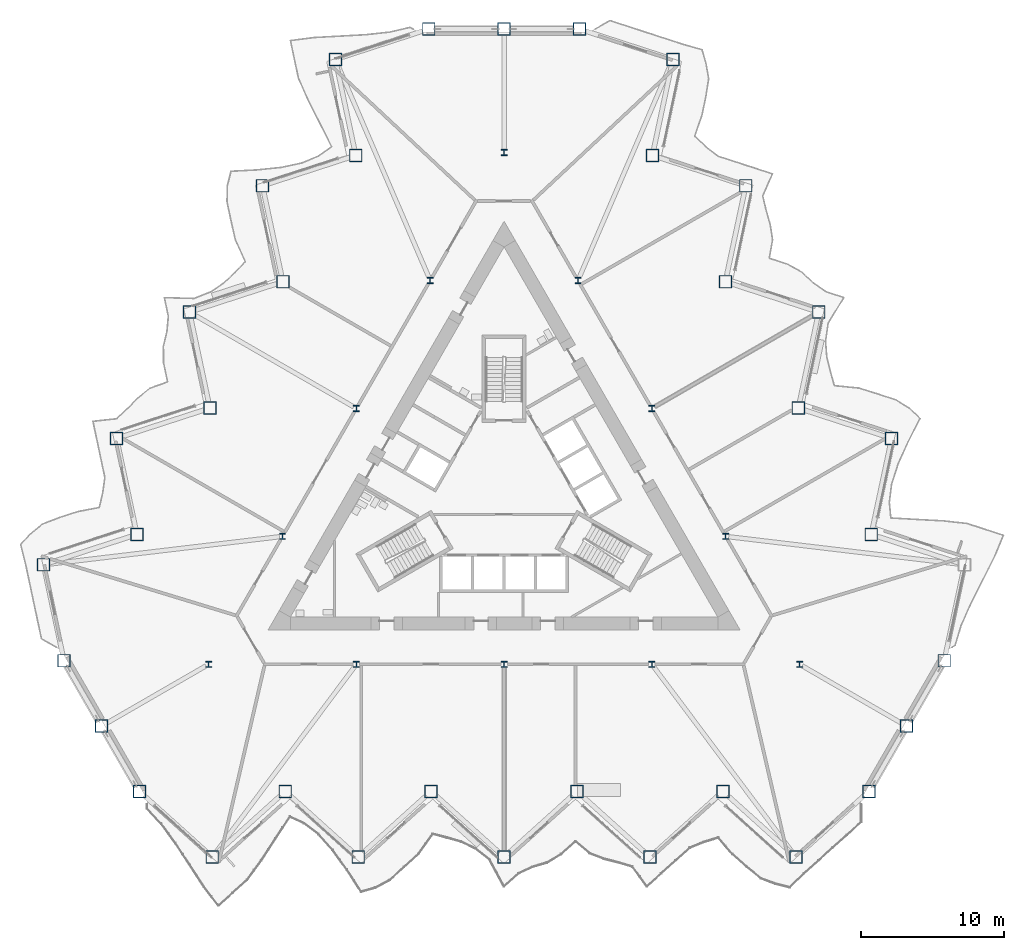
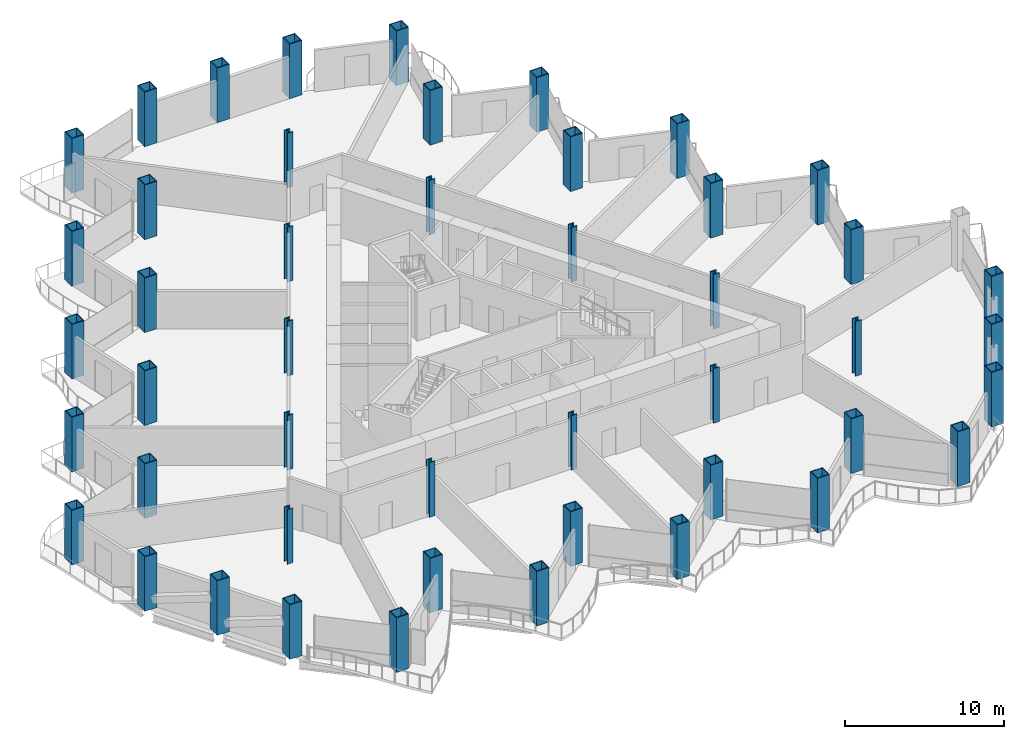
# One storey, part 1 of 21: 47 columns.
"""IFC4 building model written with IfcOpenShell, lengths in metres."""

from ifc_helpers import new_model, si_unit, direction, frame, origin, origin_2d, place, context, subcontext, project, spatial, hollow_rectangle, i_section, extrude, material, material_profile, profile_set, type_object, element, save


model = new_model("IFC4")

# Units and contexts
model_context = context("Model", 3, precision=1e-05, world=origin(), true_north=direction((0.0, 1.0)))
body_context = subcontext(model_context, "Body", "Model", "MODEL_VIEW")
ifc_project = project(units=[si_unit("LENGTHUNIT", "METRE"), si_unit("AREAUNIT", "SQUARE_METRE"), si_unit("VOLUMEUNIT", "CUBIC_METRE"), si_unit("PLANEANGLEUNIT", "RADIAN"), si_unit("MASSUNIT", "GRAM", prefix="KILO")], contexts=[model_context])

# Site, building, storey
site_placement = place(None, origin())
site = spatial("IfcSite", under=ifc_project, at=site_placement, CompositionType="ELEMENT")
building_placement = place(site_placement, origin())
building = spatial("IfcBuilding", under=site, at=building_placement, Name="Cormorant Prow Tower", CompositionType="ELEMENT")
storey_placement = place(building_placement, frame((0.0, 0.0, 103.800048828125)))
storey = spatial("IfcBuildingStorey", under=building, at=storey_placement, Name="L21", CompositionType="ELEMENT", Elevation=103.800048828125)

# Columns
ifc_material_1 = material(Name="Structural steel ASTM A572 Gr 50", Category="steel")
ifc_material_profile_1 = material_profile(ifc_material_1, hollow_rectangle(XDim=0.89990234375, YDim=0.89990234375, WallThickness=0.06005859375, at=origin_2d()), Name="Box 900x900x60")
ifc_profile_set_1 = profile_set([ifc_material_profile_1], Name="Structural steel ASTM A572 Gr 50")
column_type_1 = type_object("IfcColumnType", Name="Perimeter box column 900x900x60", PredefinedType="COLUMN", material=ifc_profile_set_1)
for number, where, z_axis, x_axis, name in (
    (1, (-25.499755859375, -20.80712890625, 0.0), (0.0, 0.0, 1.0), (1.0, 0.0, 0.0), "Perimeter column C3 at S00 L21"),
    (2, (-20.399658203125, -25.399169921875, 0.0), (0.0, 0.0, 1.0), (1.0, 0.0, 0.0), "Perimeter column C3 at S01 L21"),
    (3, (-15.2998046875, -20.80712890625, 0.0), (0.0, 0.0, 1.0), (1.0, 0.0, 0.0), "Perimeter column C3 at S02 L21"),
    (4, (-10.199951171875, -25.399169921875, 0.0), (0.0, 0.0, 1.0), (1.0, 0.0, 0.0), "Perimeter column C3 at S03 L21"),
    (5, (-5.099853515625, -20.80712890625, 0.0), (0.0, 0.0, 1.0), (1.0, 0.0, 0.0), "Perimeter column C3 at S04 L21"),
    (6, (0.0, -25.399169921875, 0.0), (0.0, 0.0, 1.0), (1.0, 0.0, 0.0), "Perimeter column C3 at S05 L21"),
    (7, (5.099853515625, -20.80712890625, 0.0), (0.0, 0.0, 1.0), (1.0, 0.0, 0.0), "Perimeter column C3 at S06 L21"),
    (8, (10.199951171875, -25.399169921875, 0.0), (0.0, 0.0, 1.0), (1.0, 0.0, 0.0), "Perimeter column C3 at S07 L21"),
    (9, (15.2998046875, -20.80712890625, 0.0), (0.0, 0.0, 1.0), (1.0, 0.0, 0.0), "Perimeter column C3 at S08 L21"),
    (10, (20.399658203125, -25.399169921875, 0.0), (0.0, 0.0, 1.0), (1.0, 0.0, 0.0), "Perimeter column C3 at S09 L21"),
    (11, (25.499755859375, -20.80712890625, 0.0), (0.0, 0.0, 1.0), (1.0, 0.0, 0.0), "Perimeter column C3 at ESE00 L21"),
    (12, (28.134521484375, -16.243408203125, 0.0), (0.0, 0.0, 1.0), (1.0, 0.0, 0.0), "Perimeter column C3 at ESE01 L21"),
    (13, (30.769287109375, -11.679931640625, 0.0), (0.0, 0.0, 1.0), (1.0, 0.0, 0.0), "Perimeter column C3 at ENE00 L21"),
    (14, (25.66943359375, -2.846435546875, 0.0), (0.0, 0.0, 1.0), (1.0, 0.0, 0.0), "Perimeter column C3 at ENE02 L21"),
    (15, (27.09619140625, 3.8662109375, 0.0), (0.0, 0.0, 1.0), (1.0, 0.0, 0.0), "Perimeter column C3 at ENE03 L21"),
    (16, (20.569580078125, 5.98681640625, 0.0), (0.0, 0.0, 1.0), (1.0, 0.0, 0.0), "Perimeter column C3 at ENE04 L21"),
    (17, (21.996337890625, 12.699462890625, 0.0), (0.0, 0.0, 1.0), (1.0, 0.0, 0.0), "Perimeter column C3 at ENE05 L21"),
    (18, (15.469482421875, 14.8203125, 0.0), (0.0, 0.0, 1.0), (1.0, 0.0, 0.0), "Perimeter column C3 at ENE06 L21"),
    (19, (16.896240234375, 21.532958984375, 0.0), (0.0, 0.0, 1.0), (1.0, 0.0, 0.0), "Perimeter column C3 at ENE07 L21"),
    (20, (10.36962890625, 23.653564453125, 0.0), (0.0, 0.0, 1.0), (1.0, 0.0, 0.0), "Perimeter column C3 at ENE08 L21"),
    (21, (11.79638671875, 30.3662109375, 0.0), (0.0, 0.0, 1.0), (1.0, 0.0, 0.0), "Perimeter column C3 at ENE09 L21"),
    (22, (5.269775390625, 32.487060546875, 0.0), (0.0, 0.0, 1.0), (1.0, 0.0, 0.0), "Perimeter column C3 at N00 L21"),
    (23, (0.0, 32.487060546875, 0.0), (0.0, 0.0, 1.0), (1.0, 0.0, 0.0), "Perimeter column C3 at N01 L21"),
    (24, (-5.269775390625, 32.487060546875, 0.0), (0.0, 0.0, 1.0), (1.0, 0.0, 0.0), "Perimeter column C3 at WNW00 L21"),
    (25, (-11.79638671875, 30.3662109375, 0.0), (0.0, 0.0, 1.0), (1.0, 0.0, 0.0), "Perimeter column C3 at WNW01 L21"),
    (26, (-10.36962890625, 23.653564453125, 0.0), (0.0, 0.0, 1.0), (1.0, 0.0, 0.0), "Perimeter column C3 at WNW02 L21"),
    (27, (-16.896240234375, 21.532958984375, 0.0), (0.0, 0.0, 1.0), (1.0, 0.0, 0.0), "Perimeter column C3 at WNW03 L21"),
    (28, (-15.469482421875, 14.8203125, 0.0), (0.0, 0.0, 1.0), (1.0, 0.0, 0.0), "Perimeter column C3 at WNW04 L21"),
    (29, (-21.996337890625, 12.699462890625, 0.0), (0.0, 0.0, 1.0), (1.0, 0.0, 0.0), "Perimeter column C3 at WNW05 L21"),
    (30, (-20.569580078125, 5.98681640625, 0.0), (0.0, 0.0, 1.0), (1.0, 0.0, 0.0), "Perimeter column C3 at WNW06 L21"),
    (31, (-27.09619140625, 3.8662109375, 0.0), (0.0, 0.0, 1.0), (1.0, 0.0, 0.0), "Perimeter column C3 at WNW07 L21"),
    (32, (-25.66943359375, -2.846435546875, 0.0), (0.0, 0.0, 1.0), (1.0, 0.0, 0.0), "Perimeter column C3 at WNW08 L21"),
    (33, (-32.1962890625, -4.967041015625, 0.0), (0.0, 0.0, 1.0), (1.0, 0.0, 0.0), "Perimeter column C3 at WNW09 L21"),
    (34, (-30.769287109375, -11.679931640625, 0.0), (0.0, 0.0, 1.0), (1.0, 0.0, 0.0), "Perimeter column C3 at WSW00 L21"),
    (35, (-28.134521484375, -16.243408203125, 0.0), (0.0, 0.0, 1.0), (1.0, 0.0, 0.0), "Perimeter column C3 at WSW01 L21"),
):
    element("IfcColumn", number, at=place(storey_placement, frame(where, z_axis=z_axis, x_axis=x_axis)), inside=storey, type_object=column_type_1, Name=name, PredefinedType="COLUMN", context=body_context, shape_type="SweptSolid", body=[
        extrude(hollow_rectangle(XDim=0.89990234375, YDim=0.89990234375, WallThickness=0.06005859375, at=origin_2d()), origin(), (0.0, 0.0, 1.0), 4.199951171875),
    ])
ifc_material_2 = material(Name="Structural steel ASTM A992 Gr 50", Category="steel")
ifc_material_profile_2 = material_profile(ifc_material_2, i_section(OverallWidth=0.412109375, OverallDepth=0.434814453125, WebThickness=0.035888671875, FlangeThickness=0.057373046875, at=origin_2d()), Name="W14x311")
ifc_profile_set_2 = profile_set([ifc_material_profile_2], Name="Structural steel ASTM A992 Gr 50")
column_type_2 = type_object("IfcColumnType", Name="Ring column W14x311", PredefinedType="COLUMN", material=ifc_profile_set_2)
for number, where, z_axis, x_axis, name in (
    (36, (0.0, 23.8525390625, 0.0), (0.0, 0.0, 1.0), (1.0, 0.0, 0.0), "Ring column 1 L21"),
    (37, (-5.164306640625, 14.907958984375, 0.0), (0.0, 0.0, 1.0), (1.0, 0.0, 0.0), "Ring column 2 L21"),
    (38, (-10.328369140625, 5.963134765625, 0.0), (0.0, 0.0, 1.0), (1.0, 0.0, 0.0), "Ring column 3 L21"),
    (39, (-15.49267578125, -2.981689453125, 0.0), (0.0, 0.0, 1.0), (1.0, 0.0, 0.0), "Ring column 4 L21"),
    (40, (-20.656982421875, -11.92626953125, 0.0), (0.0, 0.0, 1.0), (1.0, 0.0, 0.0), "Ring column 5 L21"),
    (41, (-10.328369140625, -11.92626953125, 0.0), (0.0, 0.0, 1.0), (1.0, 0.0, 0.0), "Ring column 6 L21"),
    (42, (0.0, -11.92626953125, 0.0), (0.0, 0.0, 1.0), (1.0, 0.0, 0.0), "Ring column 7 L21"),
    (43, (10.328369140625, -11.92626953125, 0.0), (0.0, 0.0, 1.0), (1.0, 0.0, 0.0), "Ring column 8 L21"),
    (44, (20.656982421875, -11.92626953125, 0.0), (0.0, 0.0, 1.0), (1.0, 0.0, 0.0), "Ring column 9 L21"),
    (45, (15.49267578125, -2.981689453125, 0.0), (0.0, 0.0, 1.0), (1.0, 0.0, 0.0), "Ring column 10 L21"),
    (46, (10.328369140625, 5.963134765625, 0.0), (0.0, 0.0, 1.0), (1.0, 0.0, 0.0), "Ring column 11 L21"),
    (47, (5.164306640625, 14.907958984375, 0.0), (0.0, 0.0, 1.0), (1.0, 0.0, 0.0), "Ring column 12 L21"),
):
    element("IfcColumn", number, at=place(storey_placement, frame(where, z_axis=z_axis, x_axis=x_axis)), inside=storey, type_object=column_type_2, Name=name, PredefinedType="COLUMN", context=body_context, shape_type="SweptSolid", body=[
        extrude(i_section(OverallWidth=0.412109375, OverallDepth=0.434814453125, WebThickness=0.035888671875, FlangeThickness=0.057373046875, at=origin_2d()), origin(), (0.0, 0.0, 1.0), 4.199951171875),
    ])

save(model, "model.ifc")
